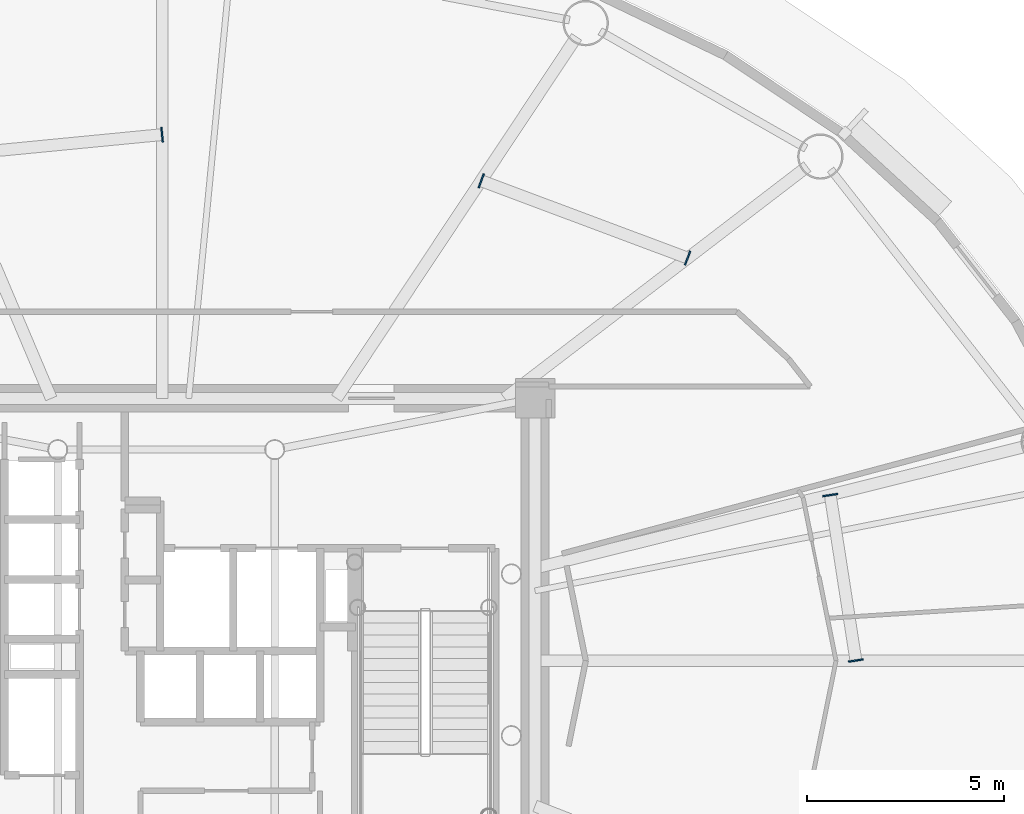
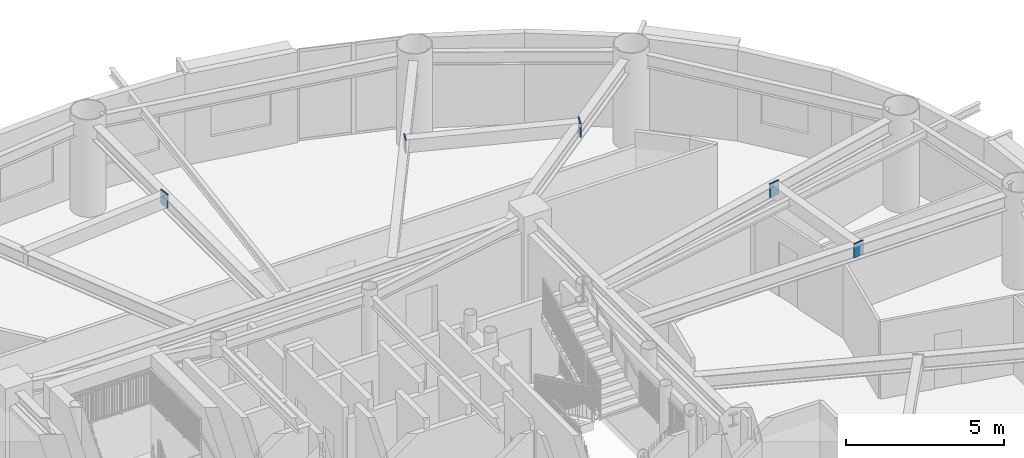
# One storey, part 8 of 19: 5 plates.
"""IFC4 building model written with IfcOpenShell, lengths in metres."""

from ifc_helpers import new_model, si_unit, direction, frame, origin, origin_2d, place, context, subcontext, project, spatial, rectangle, extrude, source, transform, mapped, material, layer, layer_set, type_object, element, save


model = new_model("IFC4")

# Units and contexts
model_context = context("Model", 3, precision=1e-05, world=origin(), true_north=direction((0.0, 1.0)))
body_context = subcontext(model_context, "Body", "Model", "MODEL_VIEW")
ifc_project = project(units=[si_unit("LENGTHUNIT", "METRE"), si_unit("AREAUNIT", "SQUARE_METRE"), si_unit("VOLUMEUNIT", "CUBIC_METRE"), si_unit("PLANEANGLEUNIT", "RADIAN"), si_unit("MASSUNIT", "GRAM", prefix="KILO")], contexts=[model_context])

# Site, building, storey
site_placement = place(None, origin())
site = spatial("IfcSite", under=ifc_project, at=site_placement, CompositionType="ELEMENT")
building_placement = place(site_placement, origin())
building = spatial("IfcBuilding", under=site, at=building_placement, Name="Linh Dai School and Residence Tower", CompositionType="ELEMENT")
storey_placement = place(building_placement, frame((0.0, 0.0, 210.300048828125)))
storey = spatial("IfcBuildingStorey", under=building, at=storey_placement, Name="L51", CompositionType="ELEMENT", Elevation=210.300048828125)

# Plates
ifc_material = material(Name="Structural Steel S355JR", Category="steel")
ifc_layer = layer(ifc_material, 0.0400390625)
ifc_layer_set = layer_set([ifc_layer], Name="Structural Steel S355JR")
plate_type = type_object("IfcPlateType", Name="PLT-GP1", PredefinedType="USERDEFINED", material=ifc_layer_set)
shared_shape = source(origin(), body_context, "Body", "SweptSolid", [
    extrude(rectangle(XDim=0.0400390625, YDim=0.3798828125, at=origin_2d()), origin(), (0.0, 0.0, 1.0), 0.5400390625),
])
for number, where, z_axis, x_axis, name in (
    (1, (53.583740234375, 27.0048828125, 2.97998046875), (0.0, 0.0, 1.0), (-0.153185627242, 0.988197431492, 0.0), "L51 Secondary Beam End Plate 01A"),
    (2, (52.93359375, 31.198974609375, 2.97998046875), (0.0, 0.0, 1.0), (-0.153185627242, 0.988197431492, 0.0), "L51 Secondary Beam End Plate 01B"),
    (3, (49.3173828125, 37.207763671875, 2.97998046875), (0.0, 0.0, 1.0), (-0.936533727109, 0.35057749213, 0.0), "L51 Secondary Beam End Plate 02A"),
    (4, (44.085693359375, 39.166015625, 2.97998046875), (0.0, 0.0, 1.0), (-0.936533727109, 0.35057749213, 0.0), "L51 Secondary Beam End Plate 02B"),
    (5, (35.9951171875, 40.3369140625, 2.97998046875), (0.0, 0.0, 1.0), (-0.995333315624, -0.096496584447, 0.0), "L51 Secondary Beam End Plate 03A"),
):
    element("IfcPlate", number, at=place(storey_placement, frame(where, z_axis=z_axis, x_axis=x_axis)), inside=storey, type_object=plate_type, Name=name, ObjectType="GUSSET PLATE", PredefinedType="USERDEFINED", context=body_context, shape_type="MappedRepresentation", body=[
        mapped(shared_shape, transform((0.0, 0.0, 0.0), x_axis=(1.0, 0.0, 0.0), y_axis=(0.0, 1.0, 0.0), z_axis=(0.0, 0.0, 1.0), scale=1.0)),
    ])

save(model, "model.ifc")
